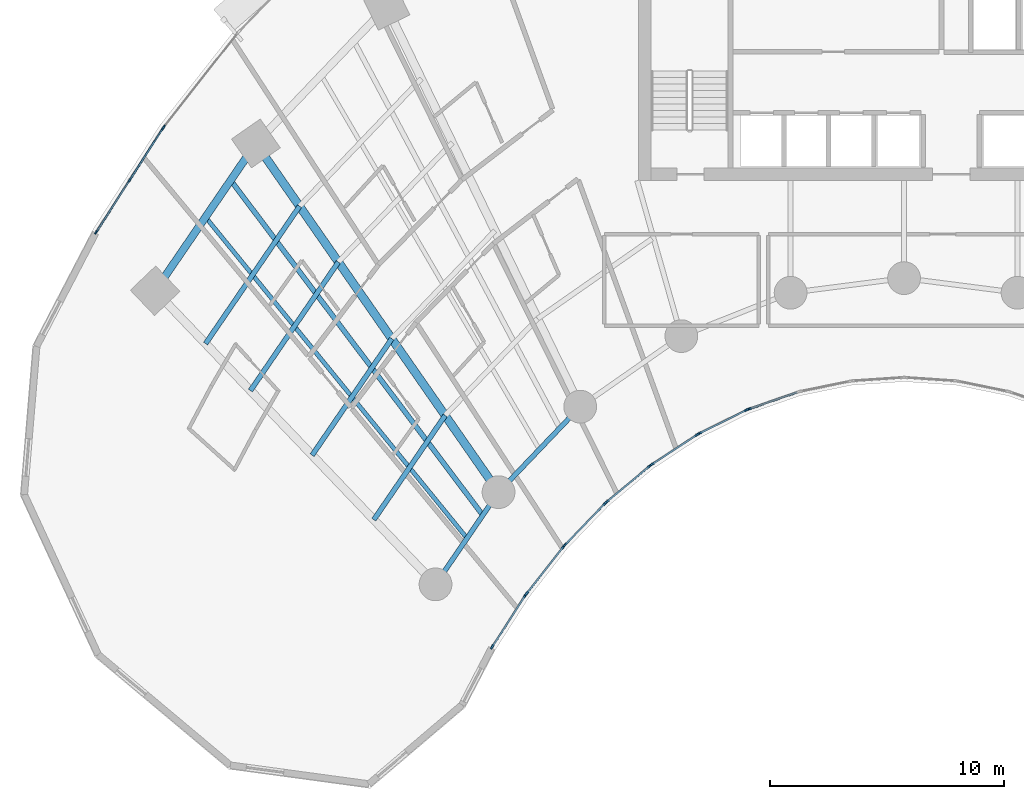
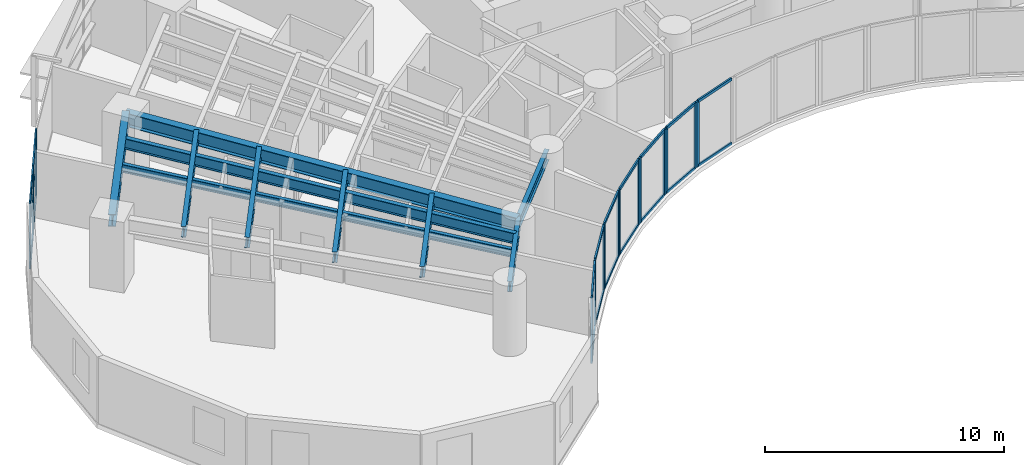
# One storey, part 2 of 18: 37 members, 10 beams, 9 elements without a shape of their own.
"""IFC4 building model written with IfcOpenShell, lengths in metres."""

import ifcopenshell
import ifcopenshell.guid

model = None  # the IFC model being written
_history = None  # IfcOwnerHistory: only IFC2X3 demands one
_inside = {}  # id of a spatial element -> (the spatial element, [elements in it])
_under = {}  # id of a project, library or spatial element -> (it, [spatial elements below it])
_declared = {}  # id of a project -> (the project, [libraries it declares])
_typed = {}  # id of a type object -> (the type object, [elements of that type])
_made_of = {}  # id of a material, layer set ... -> (it, [elements and type objects made of it])


def new_model(schema):
    """Start an empty IFC model of exactly this schema.

    Asked for "IFC4X3", IfcOpenShell would pick the latest addendum, in which some entities
    have other attributes; the version numbers below select the first issue.
    IFC2X3 requires an IfcOwnerHistory on every rooted entity: one is made here for all.
    """
    global model, _history
    if schema == "IFC4X3":
        model = ifcopenshell.file(schema_version=(4, 3, 0, 0))
    else:
        model = ifcopenshell.file(schema=schema)
    _inside.clear()
    _under.clear()
    _declared.clear()
    _typed.clear()
    _made_of.clear()
    _history = None
    if model.schema == "IFC2X3":
        org = make("IfcOrganization", Name="unknown")
        user = make(
            "IfcPersonAndOrganization",
            ThePerson=make("IfcPerson", FamilyName="unknown"),
            TheOrganization=org,
        )
        app = make(
            "IfcApplication",
            ApplicationDeveloper=org,
            Version="unknown",
            ApplicationFullName="unknown",
            ApplicationIdentifier="unknown",
        )
        _history = make(
            "IfcOwnerHistory",
            OwningUser=user,
            OwningApplication=app,
            ChangeAction="ADDED",
            CreationDate=0,
        )
    return model


def make(cls, **values):
    """One entity of the class cls with the attributes given. An attribute that is None is left unset."""
    return model.create_entity(
        cls, **{name: value for name, value in values.items() if value is not None}
    )


def rooted(cls, **values):
    """An entity with a GlobalId (a new one), such as an element, a storey or a relation."""
    return make(cls, GlobalId=ifcopenshell.guid.new(), OwnerHistory=_history, **values)


def si_unit(unit_type, name, prefix=None):
    """IfcSIUnit, for example si_unit("LENGTHUNIT", "METRE", prefix="MILLI")."""
    return make("IfcSIUnit", UnitType=unit_type, Prefix=prefix, Name=name)


def assignment(units):
    """IfcUnitAssignment: the units of a project."""
    return None if units is None else make("IfcUnitAssignment", Units=units)


def point(xyz):
    """IfcCartesianPoint."""
    return None if xyz is None else make("IfcCartesianPoint", Coordinates=xyz)


def direction(xyz):
    """IfcDirection."""
    return None if xyz is None else make("IfcDirection", DirectionRatios=xyz)


def frame(location, z_axis=None, x_axis=None):
    """IfcAxis2Placement3D, a coordinate frame: its origin and axes. An axis left out is left unset."""
    return make(
        "IfcAxis2Placement3D",
        Location=point(location),
        Axis=direction(z_axis),
        RefDirection=direction(x_axis),
    )


def frame_2d(location, x_axis=None):
    """IfcAxis2Placement2D, a coordinate frame in the plane: its origin and x axis."""
    return make(
        "IfcAxis2Placement2D", Location=point(location), RefDirection=direction(x_axis)
    )


def origin():
    """The frame at (0, 0, 0) with its axes left unset."""
    return frame((0.0, 0.0, 0.0))


def origin_2d():
    """The frame at (0, 0) in the plane with its x axis left unset."""
    return frame_2d((0.0, 0.0))


def place(relative_to, where):
    """IfcLocalPlacement: puts the frame where relative to a parent placement (None: the world)."""
    return make(
        "IfcLocalPlacement", PlacementRelTo=relative_to, RelativePlacement=where
    )


def context(
    kind, dimensions, precision=None, world=None, true_north=None, identifier=None
):
    """IfcGeometricRepresentationContext, for example the 3D "Model" context."""
    return make(
        "IfcGeometricRepresentationContext",
        ContextIdentifier=identifier,
        ContextType=kind,
        CoordinateSpaceDimension=dimensions,
        Precision=precision,
        WorldCoordinateSystem=world,
        TrueNorth=true_north,
    )


def subcontext(parent, identifier, kind, view, scale=None):
    """IfcGeometricRepresentationSubContext, for example "Body" below "Model"."""
    return make(
        "IfcGeometricRepresentationSubContext",
        ContextIdentifier=identifier,
        ContextType=kind,
        ParentContext=parent,
        TargetScale=scale,
        TargetView=view,
    )


def project(units=None, contexts=None):
    """IfcProject with its units and contexts."""
    return rooted(
        "IfcProject",
        Name="project",
        RepresentationContexts=contexts,
        UnitsInContext=assignment(units),
    )


def spatial(cls, under=None, at=None, **own):
    """A site, building, storey or space (cls), placed at a placement, below another one or the project."""
    s = rooted(cls, ObjectPlacement=at, **own)
    if under is not None:
        _under.setdefault(under.id(), (under, []))[1].append(s)
    return s


def profile(cls, at=None, kind="AREA", **sizes):
    """A parametric profile (cls). Its sizes go by their IFC names, for example OverallWidth=200.0."""
    return make(cls, ProfileType=kind, Position=at, **sizes)


def rectangle(**sizes):
    """IfcRectangleProfileDef."""
    return profile("IfcRectangleProfileDef", **sizes)


def i_section(**sizes):
    """IfcIShapeProfileDef."""
    return profile("IfcIShapeProfileDef", **sizes)


def extrude(swept, where, along, depth):
    """IfcExtrudedAreaSolid: the profile swept, set in the frame where, extruded along a direction by depth."""
    return make(
        "IfcExtrudedAreaSolid",
        SweptArea=swept,
        Position=where,
        ExtrudedDirection=direction(along),
        Depth=depth,
    )


def shape(context_of_items, identifier, shape_type, items):
    """IfcShapeRepresentation: the items that make up one representation, for example the "Body"."""
    return make(
        "IfcShapeRepresentation",
        ContextOfItems=context_of_items,
        RepresentationIdentifier=identifier,
        RepresentationType=shape_type,
        Items=items,
    )


def source(mapping_origin, context_of_items, identifier, shape_type, items):
    """IfcRepresentationMap: a shape defined once, which mapped items show again and again."""
    return make(
        "IfcRepresentationMap",
        MappingOrigin=mapping_origin,
        MappedRepresentation=shape(context_of_items, identifier, shape_type, items),
    )


def transform(
    local_origin,
    x_axis=None,
    y_axis=None,
    z_axis=None,
    scale=None,
    scale2=None,
    scale3=None,
    uniform=True,
):
    """IfcCartesianTransformationOperator3D, or its non-uniform kind. x_axis, y_axis, z_axis: its Axis1, 2, 3."""
    if uniform:
        return make(
            "IfcCartesianTransformationOperator3D",
            Axis1=direction(x_axis),
            Axis2=direction(y_axis),
            LocalOrigin=point(local_origin),
            Scale=scale,
            Axis3=direction(z_axis),
        )
    return make(
        "IfcCartesianTransformationOperator3DnonUniform",
        Axis1=direction(x_axis),
        Axis2=direction(y_axis),
        LocalOrigin=point(local_origin),
        Scale=scale,
        Axis3=direction(z_axis),
        Scale2=scale2,
        Scale3=scale3,
    )


def mapped(mapping_source, mapping_target):
    """IfcMappedItem: shows the shape of a source again, moved by a transform."""
    return make(
        "IfcMappedItem", MappingSource=mapping_source, MappingTarget=mapping_target
    )


def material(Name=None, Category=None):
    """IfcMaterial."""
    return make("IfcMaterial", Name=Name, Category=Category)


def layer(
    of_material, thickness, ventilated=None, Name=None, Category=None, Priority=None
):
    """IfcMaterialLayer: one layer of a wall or slab, of a material (None: an air gap)."""
    return make(
        "IfcMaterialLayer",
        Material=of_material,
        LayerThickness=thickness,
        IsVentilated=ventilated,
        Name=Name,
        Category=Category,
        Priority=Priority,
    )


def layer_set(layers, Name=None):
    """IfcMaterialLayerSet."""
    return make("IfcMaterialLayerSet", MaterialLayers=layers, LayerSetName=Name)


def material_profile(
    of_material, cross_section, Name=None, Category=None, Priority=None
):
    """IfcMaterialProfile: a cross section and its material."""
    return make(
        "IfcMaterialProfile",
        Name=Name,
        Material=of_material,
        Profile=cross_section,
        Priority=Priority,
        Category=Category,
    )


def profile_set(profiles, Name=None, composite=None):
    """IfcMaterialProfileSet."""
    return make(
        "IfcMaterialProfileSet",
        Name=Name,
        MaterialProfiles=profiles,
        CompositeProfile=composite,
    )


def made_of(thing, what):
    """Note that an element or type object is made of a material, layer set ...; save() writes the relation."""
    if what is not None:
        _made_of.setdefault(what.id(), (what, []))[1].append(thing)
    return thing


def type_object(cls, material=None, **own):
    """A type object (cls), such as IfcWallType, which elements share."""
    return made_of(rooted(cls, **own), material)


def type_shapes(of_type, sources):
    """Give a type object the sources (RepresentationMaps) that its elements show as mapped items."""
    of_type.RepresentationMaps = sources


def element(
    cls,
    number,
    at=None,
    inside=None,
    cuts=None,
    type_object=None,
    material=None,
    context=None,
    identifier="Body",
    shape_type=None,
    held_by="IfcProductDefinitionShape",
    body=None,
    shapes=None,
    **own,
):
    """One element of the class cls, such as IfcWall. Its Tag is "e" and its number.

    at: its placement. inside: the storey or other place that contains it. cuts: it is an
    opening in that element (IfcRelVoidsElement). A single representation is given by context,
    identifier, shape_type and body (its items); several are given by shapes. held_by: the class
    of the entity that holds the representations. save() writes the other relations.
    """
    e = rooted(cls, Tag="e%d" % number, ObjectPlacement=at, **own)
    if body is not None:
        shapes = [shape(context, identifier, shape_type, body)]
    if shapes is not None:
        e.Representation = make(held_by, Representations=shapes)
    if inside is not None:
        _inside.setdefault(inside.id(), (inside, []))[1].append(e)
    if cuts is not None:
        rooted(
            "IfcRelVoidsElement", RelatingBuildingElement=cuts, RelatedOpeningElement=e
        )
    if type_object is not None:
        _typed.setdefault(type_object.id(), (type_object, []))[1].append(e)
    return made_of(e, material)


def aggregate(whole, parts):
    """IfcRelAggregates: a whole, such as a stair, and the parts it consists of."""
    return rooted("IfcRelAggregates", RelatingObject=whole, RelatedObjects=parts)


def save(model, path):
    """Write the relations noted so far, then the file.

    IfcRelAggregates (storeys below a building ...), IfcRelContainedInSpatialStructure (elements
    in a storey), IfcRelDefinesByType, IfcRelAssociatesMaterial and IfcRelDeclares: one each for
    every whole, place, type object, material and project.
    """
    for whole, parts in _under.values():
        aggregate(whole, parts)
    for where, things in _inside.values():
        rooted(
            "IfcRelContainedInSpatialStructure",
            RelatedElements=things,
            RelatingStructure=where,
        )
    for kind, things in _typed.values():
        rooted("IfcRelDefinesByType", RelatedObjects=things, RelatingType=kind)
    for what, things in _made_of.values():
        rooted("IfcRelAssociatesMaterial", RelatedObjects=things, RelatingMaterial=what)
    for by, libraries in _declared.values():
        rooted("IfcRelDeclares", RelatingContext=by, RelatedDefinitions=libraries)
    model.write(path)


model = new_model("IFC4")

# Units and contexts
model_context = context("Model", 3, precision=1e-05, world=origin(), true_north=direction((0.0, 1.0)))
body_context = subcontext(model_context, "Body", "Model", "MODEL_VIEW")
ifc_project = project(units=[si_unit("LENGTHUNIT", "METRE"), si_unit("AREAUNIT", "SQUARE_METRE"), si_unit("VOLUMEUNIT", "CUBIC_METRE"), si_unit("PLANEANGLEUNIT", "RADIAN"), si_unit("MASSUNIT", "GRAM", prefix="KILO")], contexts=[model_context])

# Site, building, storey
site_placement = place(None, origin())
site = spatial("IfcSite", under=ifc_project, at=site_placement, CompositionType="ELEMENT")
building_placement = place(site_placement, origin())
building = spatial("IfcBuilding", under=site, at=building_placement, Name="Breltana Convention Tower", CompositionType="ELEMENT")
storey_placement = place(building_placement, frame((0.0, 0.0, 35.39990234375)))
storey = spatial("IfcBuildingStorey", under=building, at=storey_placement, Name="L06", CompositionType="ELEMENT", Elevation=35.39990234375)

# Beams
ifc_material_1 = material(Name="Steel ASTM A992 Grade 50", Category="steel")
ifc_material_profile_1 = material_profile(ifc_material_1, i_section(OverallWidth=0.323974609375, OverallDepth=0.611083984375, WebThickness=0.0126953125, FlangeThickness=0.01904296875, at=origin_2d()), Name="W24X104")
ifc_profile_set_1 = profile_set([ifc_material_profile_1], Name="Steel ASTM A992 Grade 50")
beam_type_1 = type_object("IfcBeamType", Name="BM-SP-W24X104", PredefinedType="SPANDREL", material=ifc_profile_set_1)
shared_shape_1 = source(origin(), body_context, "Body", "SweptSolid", [
    extrude(i_section(OverallWidth=0.323974609375, OverallDepth=0.611083984375, WebThickness=0.0126953125, FlangeThickness=0.01904296875, at=origin_2d()), origin(), (0.0, 0.0, 1.0), 7.625),
])
type_shapes(beam_type_1, [shared_shape_1])
beam_1_placement = place(storey_placement, frame((16.0068359375, 55.494384765625, 3.0546875), z_axis=(0.564452031902, 0.825465870694, 0.0), x_axis=(-0.825465870694, 0.564452031902, 0.0)))
element("IfcBeam", 1, at=beam_1_placement, inside=storey, type_object=beam_type_1, Name="L06 Outer Spandrel Beam 01", PredefinedType="SPANDREL", context=body_context, shape_type="MappedRepresentation", body=[
    mapped(shared_shape_1, transform((0.0, 0.0, 0.0), scale=1.0)),
])
ifc_material_profile_2 = material_profile(ifc_material_1, i_section(OverallWidth=0.35498046875, OverallDepth=0.696044921875, WebThickness=0.015380859375, FlangeThickness=0.02490234375, at=origin_2d()), Name="W27X146")
ifc_profile_set_2 = profile_set([ifc_material_profile_2], Name="Steel ASTM A992 Grade 50")
beam_type_2 = type_object("IfcBeamType", Name="BM-RG-W27X146", PredefinedType="USERDEFINED", material=ifc_profile_set_2)
shared_shape_2 = source(origin(), body_context, "Body", "SweptSolid", [
    extrude(i_section(OverallWidth=0.35498046875, OverallDepth=0.696044921875, WebThickness=0.015380859375, FlangeThickness=0.02490234375, at=origin_2d()), origin(), (0.0, 0.0, 1.0), 18.1484375),
])
beam_2_placement = place(storey_placement, frame((30.67724609375, 46.892333984375, 3.01220703125), z_axis=(-0.571207556098, 0.820805657788, 0.0), x_axis=(-0.820805657788, -0.571207556098, 0.0)))
element("IfcBeam", 2, at=beam_2_placement, inside=storey, type_object=beam_type_2, Name="L06 Radial Floor Girder R02", ObjectType="GIRDER", PredefinedType="USERDEFINED", context=body_context, shape_type="MappedRepresentation", body=[
    mapped(shared_shape_2, transform((0.0, 0.0, 0.0), scale=1.0)),
])
ifc_material_profile_3 = material_profile(ifc_material_1, i_section(OverallWidth=0.2099609375, OverallDepth=0.537109375, WebThickness=0.010986328125, FlangeThickness=0.017333984375, at=origin_2d()), Name="W21X68")
ifc_profile_set_3 = profile_set([ifc_material_profile_3], Name="Steel ASTM A992 Grade 50")
beam_type_3 = type_object("IfcBeamType", Name="BM-BM-W21X68", PredefinedType="BEAM", material=ifc_profile_set_3)
shared_shape_3 = source(origin(), body_context, "Body", "SweptSolid", [
    extrude(i_section(OverallWidth=0.2099609375, OverallDepth=0.537109375, WebThickness=0.010986328125, FlangeThickness=0.017333984375, at=origin_2d()), origin(), (0.0, 0.0, 1.0), 4.770263671875),
])
beam_3_placement = place(storey_placement, frame((27.984619140625, 42.95458984375, 3.091552734375), z_axis=(0.564452719055, 0.82546540082, 0.0), x_axis=(-0.82546540082, 0.564452719055, 0.0)))
element("IfcBeam", 3, at=beam_3_placement, inside=storey, type_object=beam_type_3, Name="L06 Inner Ring Beam 01", PredefinedType="BEAM", context=body_context, shape_type="MappedRepresentation", body=[
    mapped(shared_shape_3, transform((0.0, 0.0, 0.0), scale=1.0)),
])
ifc_material_profile_4 = material_profile(ifc_material_1, i_section(OverallWidth=0.179931640625, OverallDepth=0.4130859375, WebThickness=0.009765625, FlangeThickness=0.01611328125, at=origin_2d()), Name="W16X50")
ifc_profile_set_4 = profile_set([ifc_material_profile_4], Name="Steel ASTM A992 Grade 50")
beam_type_4 = type_object("IfcBeamType", Name="BM-JSG-08", PredefinedType="JOIST", material=ifc_profile_set_4)
shared_shape_4 = source(origin(), body_context, "Body", "SweptSolid", [
    extrude(i_section(OverallWidth=0.179931640625, OverallDepth=0.4130859375, WebThickness=0.009765625, FlangeThickness=0.01611328125, at=origin_2d()), origin(), (0.0, 0.0, 1.0), 17.691650390625),
])
type_shapes(beam_type_4, [shared_shape_4])
beam_4_placement = place(storey_placement, frame((29.330810546875, 44.923583984375, 3.153564453125), z_axis=(-0.631476958478, 0.775394642044, 0.0), x_axis=(-0.775394642044, -0.631476958478, 0.0)))
element("IfcBeam", 4, at=beam_4_placement, inside=storey, type_object=beam_type_4, Name="L06 Mid-Bay Radial Trimmer 01", PredefinedType="JOIST", context=body_context, shape_type="MappedRepresentation", body=[
    mapped(shared_shape_4, transform((0.0, 0.0, 0.0), scale=1.0)),
])
ifc_material_profile_5 = material_profile(ifc_material_1, i_section(OverallWidth=0.214111328125, OverallDepth=0.549072265625, WebThickness=0.0146484375, FlangeThickness=0.023681640625, at=origin_2d()), Name="W21X93")
ifc_profile_set_5 = profile_set([ifc_material_profile_5], Name="Steel ASTM A992 Grade 50")
beam_type_5 = type_object("IfcBeamType", Name="BM-JSG-03", PredefinedType="JOIST", material=ifc_profile_set_5)
shared_shape_5 = source(origin(), body_context, "Body", "SweptSolid", [
    extrude(i_section(OverallWidth=0.214111328125, OverallDepth=0.549072265625, WebThickness=0.0146484375, FlangeThickness=0.023681640625, at=origin_2d()), origin(), (0.0, 0.0, 1.0), 17.9072265625),
])
beam_5_placement = place(storey_placement, frame((30.00390625, 45.907958984375, 3.085693359375), z_axis=(-0.601382105028, 0.798961553363, 0.0), x_axis=(-0.798961553363, -0.601382105028, 0.0)))
element("IfcBeam", 5, at=beam_5_placement, inside=storey, type_object=beam_type_5, Name="L06 Quarter-Bay Radial Trimmer 01", PredefinedType="JOIST", context=body_context, shape_type="MappedRepresentation", body=[
    mapped(shared_shape_5, transform((0.0, 0.0, 0.0), scale=1.0)),
])
shared_shape_6 = source(origin(), body_context, "Body", "SweptSolid", [
    extrude(i_section(OverallWidth=0.2099609375, OverallDepth=0.537109375, WebThickness=0.010986328125, FlangeThickness=0.017333984375, at=origin_2d()), origin(), (0.0, 0.0, 1.0), 5.05126953125),
])
beam_6_placement = place(storey_placement, frame((30.67724609375, 46.892333984375, 3.091552734375), z_axis=(0.690729753845, 0.7231129975, 0.0), x_axis=(-0.7231129975, 0.690729753845, 0.0)))
element("IfcBeam", 6, at=beam_6_placement, inside=storey, type_object=beam_type_3, Name="L06 Inner Ring Beam 02", PredefinedType="BEAM", context=body_context, shape_type="MappedRepresentation", body=[
    mapped(shared_shape_6, transform((0.0, 0.0, 0.0), scale=1.0)),
])
shared_shape_7 = source(origin(), body_context, "Body", "SweptSolid", [
    extrude(i_section(OverallWidth=0.214111328125, OverallDepth=0.549072265625, WebThickness=0.0146484375, FlangeThickness=0.023681640625, at=origin_2d()), origin(), (0.0, 0.0, 1.0), 5.3984375),
])
beam_7_placement = place(storey_placement, frame((25.349365234375, 45.71337890625, 3.085693359375), z_axis=(0.564440705434, 0.825473615599, 0.0), x_axis=(-0.825473615599, 0.564440705434, 0.0)))
element("IfcBeam", 7, at=beam_7_placement, inside=storey, type_object=beam_type_5, Name="L06 Composite Floor Joist 01.1", PredefinedType="JOIST", context=body_context, shape_type="MappedRepresentation", body=[
    mapped(shared_shape_7, transform((0.0, 0.0, 0.0), scale=1.0)),
])
shared_shape_8 = source(origin(), body_context, "Body", "SweptSolid", [
    extrude(i_section(OverallWidth=0.214111328125, OverallDepth=0.549072265625, WebThickness=0.0146484375, FlangeThickness=0.023681640625, at=origin_2d()), origin(), (0.0, 0.0, 1.0), 6.0263671875),
])
beam_8_placement = place(storey_placement, frame((22.71435546875, 48.47216796875, 3.085693359375), z_axis=(0.564450071397, 0.825467211281, 0.0), x_axis=(-0.825467211281, 0.564450071397, 0.0)))
element("IfcBeam", 8, at=beam_8_placement, inside=storey, type_object=beam_type_5, Name="L06 Composite Floor Joist 01.2", PredefinedType="JOIST", context=body_context, shape_type="MappedRepresentation", body=[
    mapped(shared_shape_8, transform((0.0, 0.0, 0.0), scale=1.0)),
])
shared_shape_9 = source(origin(), body_context, "Body", "SweptSolid", [
    extrude(i_section(OverallWidth=0.214111328125, OverallDepth=0.549072265625, WebThickness=0.0146484375, FlangeThickness=0.023681640625, at=origin_2d()), origin(), (0.0, 0.0, 1.0), 6.654541015625),
])
beam_9_placement = place(storey_placement, frame((20.0791015625, 51.23095703125, 3.085693359375), z_axis=(0.564482668195, 0.82544492082, 0.0), x_axis=(-0.82544492082, 0.564482668195, 0.0)))
element("IfcBeam", 9, at=beam_9_placement, inside=storey, type_object=beam_type_5, Name="L06 Composite Floor Joist 01.3", PredefinedType="JOIST", context=body_context, shape_type="MappedRepresentation", body=[
    mapped(shared_shape_9, transform((0.0, 0.0, 0.0), scale=1.0)),
])
shared_shape_10 = source(origin(), body_context, "Body", "SweptSolid", [
    extrude(i_section(OverallWidth=0.214111328125, OverallDepth=0.549072265625, WebThickness=0.0146484375, FlangeThickness=0.023681640625, at=origin_2d()), origin(), (0.0, 0.0, 1.0), 7.111328125),
])
beam_10_placement = place(storey_placement, frame((18.162841796875, 53.2373046875, 3.085693359375), z_axis=(0.564446356178, 0.825469751715, 0.0), x_axis=(-0.825469751715, 0.564446356178, 0.0)))
element("IfcBeam", 10, at=beam_10_placement, inside=storey, type_object=beam_type_5, Name="L06 Composite Floor Joist 01.4", PredefinedType="JOIST", context=body_context, shape_type="MappedRepresentation", body=[
    mapped(shared_shape_10, transform((0.0, 0.0, 0.0), scale=1.0)),
])

# Curtain wall, members
ifc_material_2 = material(Name="Aluminium Anodised Bronze Frame", Category="aluminium")
ifc_layer_1 = layer(ifc_material_2, 0.18994140625, Name="Aluminium Anodised Bronze Frame")
ifc_layer_set_1 = layer_set([ifc_layer_1], Name="Aluminium Anodised Bronze Frame")
curtain_wall_type_1 = type_object("IfcCurtainWallType", Name="CW-SYS-1", PredefinedType="NOTDEFINED", material=ifc_layer_set_1)
curtain_wall_1_placement = place(storey_placement, origin())
curtain_wall_1 = element("IfcCurtainWall", 11, at=curtain_wall_1_placement, inside=storey, type_object=curtain_wall_type_1, Name="L06 inner south-court glazing 16", PredefinedType="NOTDEFINED")
ifc_material_3 = material(Name="Aluminium Anodised Bronze", Category="aluminium")
ifc_material_profile_6 = material_profile(ifc_material_3, rectangle(XDim=0.080078125, YDim=0.139892578125, at=origin_2d()), Name="CWT-80X140")
ifc_profile_set_6 = profile_set([ifc_material_profile_6], Name="Aluminium Anodised Bronze")
member_type_1 = type_object("IfcMemberType", Name="CWT-140", PredefinedType="USERDEFINED", material=ifc_profile_set_6)
shared_shape_11 = source(origin(), body_context, "Body", "SweptSolid", [
    extrude(rectangle(XDim=0.080078125, YDim=0.139892578125, at=origin_2d()), origin(), (0.0, 0.0, 1.0), 2.38720703125),
])
type_shapes(member_type_1, [shared_shape_11])
member_1_placement = place(storey_placement, frame((35.2021484375, 46.385009765625, 0.0400390625), z_axis=(-0.694623715393, -0.719373264734, 0.0), x_axis=(0.719373264734, -0.694623715393, 0.0)))
member_1 = element("IfcMember", 12, at=member_1_placement, type_object=member_type_1, Name="CW-01 transom 1.1", ObjectType="TRANSOM", PredefinedType="USERDEFINED", context=body_context, shape_type="MappedRepresentation", body=[
    mapped(shared_shape_11, transform((0.0, 0.0, 0.0), scale=1.0)),
])
member_2_placement = place(storey_placement, frame((35.2021484375, 46.385009765625, 3.320068359375), z_axis=(-0.694623715393, -0.719373264734, 0.0), x_axis=(0.719373264734, -0.694623715393, 0.0)))
member_2 = element("IfcMember", 13, at=member_2_placement, type_object=member_type_1, Name="CW-01 transom 1.2", ObjectType="TRANSOM", PredefinedType="USERDEFINED", context=body_context, shape_type="MappedRepresentation", body=[
    mapped(shared_shape_11, transform((0.0, 0.0, 0.0), scale=1.0)),
])

curtain_wall_2_placement = place(storey_placement, origin())
curtain_wall_2 = element("IfcCurtainWall", 14, at=curtain_wall_2_placement, inside=storey, type_object=curtain_wall_type_1, Name="L06 inner south-court glazing 15", PredefinedType="NOTDEFINED")
shared_shape_12 = source(origin(), body_context, "Body", "SweptSolid", [
    extrude(rectangle(XDim=0.080078125, YDim=0.139892578125, at=origin_2d()), origin(), (0.0, 0.0, 1.0), 2.312255859375),
])
member_3_placement = place(storey_placement, frame((37.10888671875, 47.988037109375, 0.0400390625), z_axis=(-0.767900974507, -0.640568570374, 0.0), x_axis=(0.640568570374, -0.767900974507, 0.0)))
member_3 = element("IfcMember", 15, at=member_3_placement, type_object=member_type_1, Name="CW-01 transom 1.1", ObjectType="TRANSOM", PredefinedType="USERDEFINED", context=body_context, shape_type="MappedRepresentation", body=[
    mapped(shared_shape_12, transform((0.0, 0.0, 0.0), scale=1.0)),
])
member_4_placement = place(storey_placement, frame((37.10888671875, 47.988037109375, 3.320068359375), z_axis=(-0.767900974507, -0.640568570374, 0.0), x_axis=(0.640568570374, -0.767900974507, 0.0)))
member_4 = element("IfcMember", 16, at=member_4_placement, type_object=member_type_1, Name="CW-01 transom 1.2", ObjectType="TRANSOM", PredefinedType="USERDEFINED", context=body_context, shape_type="MappedRepresentation", body=[
    mapped(shared_shape_12, transform((0.0, 0.0, 0.0), scale=1.0)),
])

curtain_wall_3_placement = place(storey_placement, origin())
curtain_wall_3 = element("IfcCurtainWall", 17, at=curtain_wall_3_placement, inside=storey, type_object=curtain_wall_type_1, Name="L06 inner south-court glazing 14", PredefinedType="NOTDEFINED")
shared_shape_13 = source(origin(), body_context, "Body", "SweptSolid", [
    extrude(rectangle(XDim=0.080078125, YDim=0.139892578125, at=origin_2d()), origin(), (0.0, 0.0, 1.0), 2.2421875),
])
member_5_placement = place(storey_placement, frame((39.128173828125, 49.325927734375, 0.0400390625), z_axis=(-0.835982353773, -0.548756324957, 0.0), x_axis=(0.548756324957, -0.835982353773, 0.0)))
member_5 = element("IfcMember", 18, at=member_5_placement, type_object=member_type_1, Name="CW-01 transom 1.1", ObjectType="TRANSOM", PredefinedType="USERDEFINED", context=body_context, shape_type="MappedRepresentation", body=[
    mapped(shared_shape_13, transform((0.0, 0.0, 0.0), scale=1.0)),
])
member_6_placement = place(storey_placement, frame((39.128173828125, 49.325927734375, 3.320068359375), z_axis=(-0.835982353773, -0.548756324957, 0.0), x_axis=(0.548756324957, -0.835982353773, 0.0)))
member_6 = element("IfcMember", 19, at=member_6_placement, type_object=member_type_1, Name="CW-01 transom 1.2", ObjectType="TRANSOM", PredefinedType="USERDEFINED", context=body_context, shape_type="MappedRepresentation", body=[
    mapped(shared_shape_13, transform((0.0, 0.0, 0.0), scale=1.0)),
])

curtain_wall_4_placement = place(storey_placement, origin())
curtain_wall_4 = element("IfcCurtainWall", 20, at=curtain_wall_4_placement, inside=storey, type_object=curtain_wall_type_1, Name="L06 inner south-court glazing 13", PredefinedType="NOTDEFINED")
shared_shape_14 = source(origin(), body_context, "Body", "SweptSolid", [
    extrude(rectangle(XDim=0.080078125, YDim=0.139892578125, at=origin_2d()), origin(), (0.0, 0.0, 1.0), 2.180908203125),
])
member_7_placement = place(storey_placement, frame((41.239501953125, 50.384765625, 0.0400390625), z_axis=(-0.895922266369, -0.444210865045, 0.0), x_axis=(0.444210865045, -0.895922266369, 0.0)))
member_7 = element("IfcMember", 21, at=member_7_placement, type_object=member_type_1, Name="CW-01 transom 1.1", ObjectType="TRANSOM", PredefinedType="USERDEFINED", context=body_context, shape_type="MappedRepresentation", body=[
    mapped(shared_shape_14, transform((0.0, 0.0, 0.0), scale=1.0)),
])
member_8_placement = place(storey_placement, frame((41.239501953125, 50.384765625, 3.320068359375), z_axis=(-0.895922266369, -0.444210865045, 0.0), x_axis=(0.444210865045, -0.895922266369, 0.0)))
member_8 = element("IfcMember", 22, at=member_8_placement, type_object=member_type_1, Name="CW-01 transom 1.2", ObjectType="TRANSOM", PredefinedType="USERDEFINED", context=body_context, shape_type="MappedRepresentation", body=[
    mapped(shared_shape_14, transform((0.0, 0.0, 0.0), scale=1.0)),
])

curtain_wall_5_placement = place(storey_placement, origin())
curtain_wall_5 = element("IfcCurtainWall", 23, at=curtain_wall_5_placement, inside=storey, type_object=curtain_wall_type_1, Name="L06 inner south-court glazing 17", PredefinedType="NOTDEFINED")
shared_shape_15 = source(origin(), body_context, "Body", "SweptSolid", [
    extrude(rectangle(XDim=0.080078125, YDim=0.139892578125, at=origin_2d()), origin(), (0.0, 0.0, 1.0), 2.4638671875),
])
member_9_placement = place(storey_placement, frame((33.427001953125, 44.533447265625, 0.0400390625), z_axis=(-0.618184689608, -0.786032880695, 0.0), x_axis=(0.786032880695, -0.618184689608, 0.0)))
member_9 = element("IfcMember", 24, at=member_9_placement, type_object=member_type_1, Name="CW-01 transom 1.1", ObjectType="TRANSOM", PredefinedType="USERDEFINED", context=body_context, shape_type="MappedRepresentation", body=[
    mapped(shared_shape_15, transform((0.0, 0.0, 0.0), scale=1.0)),
])
member_10_placement = place(storey_placement, frame((33.427001953125, 44.533447265625, 3.320068359375), z_axis=(-0.618184689608, -0.786032880695, 0.0), x_axis=(0.786032880695, -0.618184689608, 0.0)))
member_10 = element("IfcMember", 25, at=member_10_placement, type_object=member_type_1, Name="CW-01 transom 1.2", ObjectType="TRANSOM", PredefinedType="USERDEFINED", context=body_context, shape_type="MappedRepresentation", body=[
    mapped(shared_shape_15, transform((0.0, 0.0, 0.0), scale=1.0)),
])

curtain_wall_6_placement = place(storey_placement, origin())
curtain_wall_6 = element("IfcCurtainWall", 26, at=curtain_wall_6_placement, inside=storey, type_object=curtain_wall_type_1, Name="L06 inner south-court glazing 18", PredefinedType="NOTDEFINED")
shared_shape_16 = source(origin(), body_context, "Body", "SweptSolid", [
    extrude(rectangle(XDim=0.080078125, YDim=0.139892578125, at=origin_2d()), origin(), (0.0, 0.0, 1.0), 2.53955078125),
])
member_11_placement = place(storey_placement, frame((31.801025390625, 42.452392578125, 0.0400390625), z_axis=(-0.540174413174, -0.841553090038, 0.0), x_axis=(0.841553090038, -0.540174413174, 0.0)))
member_11 = element("IfcMember", 27, at=member_11_placement, type_object=member_type_1, Name="CW-01 transom 1.1", ObjectType="TRANSOM", PredefinedType="USERDEFINED", context=body_context, shape_type="MappedRepresentation", body=[
    mapped(shared_shape_16, transform((0.0, 0.0, 0.0), scale=1.0)),
])
member_12_placement = place(storey_placement, frame((31.801025390625, 42.452392578125, 3.320068359375), z_axis=(-0.540174413174, -0.841553090038, 0.0), x_axis=(0.841553090038, -0.540174413174, 0.0)))
member_12 = element("IfcMember", 28, at=member_12_placement, type_object=member_type_1, Name="CW-01 transom 1.2", ObjectType="TRANSOM", PredefinedType="USERDEFINED", context=body_context, shape_type="MappedRepresentation", body=[
    mapped(shared_shape_16, transform((0.0, 0.0, 0.0), scale=1.0)),
])

# Curtain wall, member
curtain_wall_7_placement = place(storey_placement, origin())
curtain_wall_7 = element("IfcCurtainWall", 29, at=curtain_wall_7_placement, inside=storey, type_object=curtain_wall_type_1, Name="L06 inner south-court glazing 12", PredefinedType="NOTDEFINED")
ifc_material_profile_7 = material_profile(ifc_material_3, rectangle(XDim=0.080078125, YDim=0.199951171875, at=origin_2d()), Name="CWM-80X200")
ifc_profile_set_7 = profile_set([ifc_material_profile_7], Name="Aluminium Anodised Bronze")
member_type_2 = type_object("IfcMemberType", Name="CWM-200", PredefinedType="MULLION", material=ifc_profile_set_7)
shared_shape_17 = source(origin(), body_context, "Body", "SweptSolid", [
    extrude(rectangle(XDim=0.080078125, YDim=0.199951171875, at=origin_2d()), origin(), (0.0, 0.0, 1.0), 3.360107421875),
])
member_13_placement = place(storey_placement, frame((41.3701171875, 50.442138671875, 0.0), z_axis=(0.0, 0.0, 1.0), x_axis=(0.327413341714, -0.944881211406, 0.0)))
member_13 = element("IfcMember", 30, at=member_13_placement, type_object=member_type_2, Name="CW-01 mullion 2", PredefinedType="MULLION", context=body_context, shape_type="MappedRepresentation", body=[
    mapped(shared_shape_17, transform((0.0, 0.0, 0.0), scale=1.0)),
])

# Member
member_14_placement = place(storey_placement, frame((41.275390625, 50.40234375, 0.0), z_axis=(0.0, 0.0, 1.0), x_axis=(0.444117987602, -0.895968310315, 0.0)))
member_14 = element("IfcMember", 31, at=member_14_placement, type_object=member_type_2, Name="CW-01 mullion 1", PredefinedType="MULLION", context=body_context, shape_type="MappedRepresentation", body=[
    mapped(shared_shape_17, transform((0.0, 0.0, 0.0), scale=1.0)),
])

member_15_placement = place(storey_placement, frame((39.249755859375, 49.3984375, 0.0), z_axis=(0.0, 0.0, 1.0), x_axis=(0.444117987602, -0.895968310315, 0.0)))
member_15 = element("IfcMember", 32, at=member_15_placement, type_object=member_type_2, Name="CW-01 mullion 2", PredefinedType="MULLION", context=body_context, shape_type="MappedRepresentation", body=[
    mapped(shared_shape_17, transform((0.0, 0.0, 0.0), scale=1.0)),
])

aggregate(curtain_wall_4, [member_14, member_15, member_7, member_8])

member_16_placement = place(storey_placement, frame((39.16162109375, 49.347900390625, 0.0), z_axis=(0.0, 0.0, 1.0), x_axis=(0.548778278441, -0.835967942634, 0.0)))
member_16 = element("IfcMember", 33, at=member_16_placement, type_object=member_type_2, Name="CW-01 mullion 1", PredefinedType="MULLION", context=body_context, shape_type="MappedRepresentation", body=[
    mapped(shared_shape_17, transform((0.0, 0.0, 0.0), scale=1.0)),
])

member_17_placement = place(storey_placement, frame((37.220458984375, 48.073486328125, 0.0), z_axis=(0.0, 0.0, 1.0), x_axis=(0.548778278441, -0.835967942634, 0.0)))
member_17 = element("IfcMember", 34, at=member_17_placement, type_object=member_type_2, Name="CW-01 mullion 2", PredefinedType="MULLION", context=body_context, shape_type="MappedRepresentation", body=[
    mapped(shared_shape_17, transform((0.0, 0.0, 0.0), scale=1.0)),
])

aggregate(curtain_wall_3, [member_16, member_17, member_5, member_6])

member_18_placement = place(storey_placement, frame((37.1396484375, 48.013671875, 0.0), z_axis=(0.0, 0.0, 1.0), x_axis=(0.640522524458, -0.767939382804, 0.0)))
member_18 = element("IfcMember", 35, at=member_18_placement, type_object=member_type_2, Name="CW-01 mullion 1", PredefinedType="MULLION", context=body_context, shape_type="MappedRepresentation", body=[
    mapped(shared_shape_17, transform((0.0, 0.0, 0.0), scale=1.0)),
])

member_19_placement = place(storey_placement, frame((35.302734375, 46.481201171875, 0.0), z_axis=(0.0, 0.0, 1.0), x_axis=(0.640522524458, -0.767939382804, 0.0)))
member_19 = element("IfcMember", 36, at=member_19_placement, type_object=member_type_2, Name="CW-01 mullion 2", PredefinedType="MULLION", context=body_context, shape_type="MappedRepresentation", body=[
    mapped(shared_shape_17, transform((0.0, 0.0, 0.0), scale=1.0)),
])

aggregate(curtain_wall_2, [member_18, member_19, member_3, member_4])

member_20_placement = place(storey_placement, frame((35.22998046875, 46.413818359375, 0.0), z_axis=(0.0, 0.0, 1.0), x_axis=(0.719384548773, -0.694612029111, 0.0)))
member_20 = element("IfcMember", 37, at=member_20_placement, type_object=member_type_2, Name="CW-01 mullion 1", PredefinedType="MULLION", context=body_context, shape_type="MappedRepresentation", body=[
    mapped(shared_shape_17, transform((0.0, 0.0, 0.0), scale=1.0)),
])

member_21_placement = place(storey_placement, frame((33.51611328125, 44.638916015625, 0.0), z_axis=(0.0, 0.0, 1.0), x_axis=(0.719384548773, -0.694612029111, 0.0)))
member_21 = element("IfcMember", 38, at=member_21_placement, type_object=member_type_2, Name="CW-01 mullion 2", PredefinedType="MULLION", context=body_context, shape_type="MappedRepresentation", body=[
    mapped(shared_shape_17, transform((0.0, 0.0, 0.0), scale=1.0)),
])

aggregate(curtain_wall_1, [member_20, member_21, member_1, member_2])

member_22_placement = place(storey_placement, frame((33.45166015625, 44.56494140625, 0.0), z_axis=(0.0, 0.0, 1.0), x_axis=(0.786057762734, -0.61815305034, 0.0)))
member_22 = element("IfcMember", 39, at=member_22_placement, type_object=member_type_2, Name="CW-01 mullion 1", PredefinedType="MULLION", context=body_context, shape_type="MappedRepresentation", body=[
    mapped(shared_shape_17, transform((0.0, 0.0, 0.0), scale=1.0)),
])

member_23_placement = place(storey_placement, frame((31.87890625, 42.565185546875, 0.0), z_axis=(0.0, 0.0, 1.0), x_axis=(0.786057762734, -0.61815305034, 0.0)))
member_23 = element("IfcMember", 40, at=member_23_placement, type_object=member_type_2, Name="CW-01 mullion 2", PredefinedType="MULLION", context=body_context, shape_type="MappedRepresentation", body=[
    mapped(shared_shape_17, transform((0.0, 0.0, 0.0), scale=1.0)),
])

aggregate(curtain_wall_5, [member_22, member_23, member_9, member_10])

member_24_placement = place(storey_placement, frame((31.82275390625, 42.48583984375, 0.0), z_axis=(0.0, 0.0, 1.0), x_axis=(0.841556194767, -0.540169576197, 0.0)))
member_24 = element("IfcMember", 41, at=member_24_placement, type_object=member_type_2, Name="CW-01 mullion 1", PredefinedType="MULLION", context=body_context, shape_type="MappedRepresentation", body=[
    mapped(shared_shape_17, transform((0.0, 0.0, 0.0), scale=1.0)),
])

member_25_placement = place(storey_placement, frame((30.40771484375, 40.281494140625, 0.0), z_axis=(0.0, 0.0, 1.0), x_axis=(0.841556194767, -0.540169576197, 0.0)))
member_25 = element("IfcMember", 42, at=member_25_placement, type_object=member_type_2, Name="CW-01 mullion 2", PredefinedType="MULLION", context=body_context, shape_type="MappedRepresentation", body=[
    mapped(shared_shape_17, transform((0.0, 0.0, 0.0), scale=1.0)),
])

aggregate(curtain_wall_6, [member_24, member_25, member_11, member_12])

shared_shape_18 = source(origin(), body_context, "Body", "SweptSolid", [
    extrude(rectangle(XDim=0.080078125, YDim=0.139892578125, at=origin_2d()), origin(), (0.0, 0.0, 1.0), 2.131103515625),
])
member_26_placement = place(storey_placement, frame((43.421630859375, 51.153076171875, 0.0400390625), z_axis=(-0.944847069856, -0.327511854112, 0.0), x_axis=(0.327511854112, -0.944847069856, 0.0)))
member_26 = element("IfcMember", 43, at=member_26_placement, type_object=member_type_1, Name="CW-01 transom 1.1", ObjectType="TRANSOM", PredefinedType="USERDEFINED", context=body_context, shape_type="MappedRepresentation", body=[
    mapped(shared_shape_18, transform((0.0, 0.0, 0.0), scale=1.0)),
])

member_27_placement = place(storey_placement, frame((43.421630859375, 51.153076171875, 3.320068359375), z_axis=(-0.944847069856, -0.327511854112, 0.0), x_axis=(0.327511854112, -0.944847069856, 0.0)))
member_27 = element("IfcMember", 44, at=member_27_placement, type_object=member_type_1, Name="CW-01 transom 1.2", ObjectType="TRANSOM", PredefinedType="USERDEFINED", context=body_context, shape_type="MappedRepresentation", body=[
    mapped(shared_shape_18, transform((0.0, 0.0, 0.0), scale=1.0)),
])

aggregate(curtain_wall_7, [member_13, member_26, member_27])

# Curtain wall, members
ifc_layer_2 = layer(ifc_material_2, 0.199951171875, Name="Aluminium Anodised Bronze Frame")
ifc_layer_set_2 = layer_set([ifc_layer_2], Name="Aluminium Anodised Bronze Frame")
curtain_wall_type_2 = type_object("IfcCurtainWallType", Name="CW-SYS-2", PredefinedType="NOTDEFINED", material=ifc_layer_set_2)
curtain_wall_8_placement = place(storey_placement, origin())
curtain_wall_8 = element("IfcCurtainWall", 45, at=curtain_wall_8_placement, inside=storey, type_object=curtain_wall_type_2, Name="L06 outer double-skin inner glazing 1", PredefinedType="NOTDEFINED")
ifc_material_profile_8 = material_profile(ifc_material_3, rectangle(XDim=0.070068359375, YDim=0.175048828125, at=origin_2d()), Name="CWM-70X175")
ifc_profile_set_8 = profile_set([ifc_material_profile_8], Name="Aluminium Anodised Bronze")
member_type_3 = type_object("IfcMemberType", Name="CWM-175", PredefinedType="MULLION", material=ifc_profile_set_8)
shared_shape_19 = source(origin(), body_context, "Body", "SweptSolid", [
    extrude(rectangle(XDim=0.070068359375, YDim=0.175048828125, at=origin_2d()), origin(), (0.0, 0.0, 1.0), 3.360107421875),
])
type_shapes(member_type_3, [shared_shape_19])
member_28_placement = place(storey_placement, frame((13.487060546875, 57.993896484375, 0.0), z_axis=(0.0, 0.0, 1.0), x_axis=(-0.841549039154, 0.540180724109, 0.0)))
member_28 = element("IfcMember", 46, at=member_28_placement, type_object=member_type_3, Name="CW-02 mullion 1", PredefinedType="MULLION", context=body_context, shape_type="MappedRepresentation", body=[
    mapped(shared_shape_19, transform((0.0, 0.0, 0.0), scale=1.0)),
])
member_29_placement = place(storey_placement, frame((14.911865234375, 60.2138671875, 0.0), z_axis=(0.0, 0.0, 1.0), x_axis=(-0.841549039154, 0.540180724109, 0.0)))
member_29 = element("IfcMember", 47, at=member_29_placement, type_object=member_type_3, Name="CW-02 mullion 2", PredefinedType="MULLION", context=body_context, shape_type="MappedRepresentation", body=[
    mapped(shared_shape_19, transform((0.0, 0.0, 0.0), scale=1.0)),
])
member_30_placement = place(storey_placement, frame((16.3369140625, 62.43359375, 0.0), z_axis=(0.0, 0.0, 1.0), x_axis=(-0.841549039154, 0.540180724109, 0.0)))
member_30 = element("IfcMember", 48, at=member_30_placement, type_object=member_type_3, Name="CW-02 mullion 3", PredefinedType="MULLION", context=body_context, shape_type="MappedRepresentation", body=[
    mapped(shared_shape_19, transform((0.0, 0.0, 0.0), scale=1.0)),
])

# Curtain wall, member
curtain_wall_9_placement = place(storey_placement, origin())
curtain_wall_9 = element("IfcCurtainWall", 49, at=curtain_wall_9_placement, inside=storey, type_object=curtain_wall_type_2, Name="L06 outer double-skin inner glazing 2", PredefinedType="NOTDEFINED")
member_31_placement = place(storey_placement, frame((16.37744140625, 62.49072265625, 0.0), z_axis=(0.0, 0.0, 1.0), x_axis=(-0.786057080698, 0.618153917633, 0.0)))
member_31 = element("IfcMember", 50, at=member_31_placement, type_object=member_type_3, Name="CW-02 mullion 1", PredefinedType="MULLION", context=body_context, shape_type="MappedRepresentation", body=[
    mapped(shared_shape_19, transform((0.0, 0.0, 0.0), scale=1.0)),
])
aggregate(curtain_wall_9, [member_31])

# Member
ifc_material_profile_9 = material_profile(ifc_material_3, rectangle(XDim=0.070068359375, YDim=0.1201171875, at=origin_2d()), Name="CWT-70X120")
ifc_profile_set_9 = profile_set([ifc_material_profile_9], Name="Aluminium Anodised Bronze")
member_type_4 = type_object("IfcMemberType", Name="CWT-120", PredefinedType="USERDEFINED", material=ifc_profile_set_9)
shared_shape_20 = source(origin(), body_context, "Body", "SweptSolid", [
    extrude(rectangle(XDim=0.070068359375, YDim=0.1201171875, at=origin_2d()), origin(), (0.0, 0.0, 1.0), 2.56787109375),
])
type_shapes(member_type_4, [shared_shape_20])
member_32_placement = place(storey_placement, frame((13.505859375, 58.0234375, 0.03515625), z_axis=(0.54022409371, 0.841521199124, 0.0), x_axis=(-0.841521199124, 0.54022409371, 0.0)))
member_32 = element("IfcMember", 51, at=member_32_placement, type_object=member_type_4, Name="CW-02 transom 1.1", ObjectType="TRANSOM", PredefinedType="USERDEFINED", context=body_context, shape_type="MappedRepresentation", body=[
    mapped(shared_shape_20, transform((0.0, 0.0, 0.0), scale=1.0)),
])

member_33_placement = place(storey_placement, frame((13.505859375, 58.0234375, 2.18408203125), z_axis=(0.54022409371, 0.841521199124, 0.0), x_axis=(-0.841521199124, 0.54022409371, 0.0)))
member_33 = element("IfcMember", 52, at=member_33_placement, type_object=member_type_4, Name="CW-02 transom 1.2", ObjectType="TRANSOM", PredefinedType="USERDEFINED", context=body_context, shape_type="MappedRepresentation", body=[
    mapped(shared_shape_20, transform((0.0, 0.0, 0.0), scale=1.0)),
])

member_34_placement = place(storey_placement, frame((13.505859375, 58.0234375, 3.3251953125), z_axis=(0.54022409371, 0.841521199124, 0.0), x_axis=(-0.841521199124, 0.54022409371, 0.0)))
member_34 = element("IfcMember", 53, at=member_34_placement, type_object=member_type_4, Name="CW-02 transom 1.3", ObjectType="TRANSOM", PredefinedType="USERDEFINED", context=body_context, shape_type="MappedRepresentation", body=[
    mapped(shared_shape_20, transform((0.0, 0.0, 0.0), scale=1.0)),
])

member_35_placement = place(storey_placement, frame((14.930908203125, 60.2431640625, 0.03515625), z_axis=(0.540113540427, 0.841592159806, 0.0), x_axis=(-0.841592159806, 0.540113540427, 0.0)))
member_35 = element("IfcMember", 54, at=member_35_placement, type_object=member_type_4, Name="CW-02 transom 2.1", ObjectType="TRANSOM", PredefinedType="USERDEFINED", context=body_context, shape_type="MappedRepresentation", body=[
    mapped(shared_shape_20, transform((0.0, 0.0, 0.0), scale=1.0)),
])

member_36_placement = place(storey_placement, frame((14.930908203125, 60.2431640625, 2.18408203125), z_axis=(0.540113540427, 0.841592159806, 0.0), x_axis=(-0.841592159806, 0.540113540427, 0.0)))
member_36 = element("IfcMember", 55, at=member_36_placement, type_object=member_type_4, Name="CW-02 transom 2.2", ObjectType="TRANSOM", PredefinedType="USERDEFINED", context=body_context, shape_type="MappedRepresentation", body=[
    mapped(shared_shape_20, transform((0.0, 0.0, 0.0), scale=1.0)),
])

member_37_placement = place(storey_placement, frame((14.930908203125, 60.2431640625, 3.3251953125), z_axis=(0.540113540427, 0.841592159806, 0.0), x_axis=(-0.841592159806, 0.540113540427, 0.0)))
member_37 = element("IfcMember", 56, at=member_37_placement, type_object=member_type_4, Name="CW-02 transom 2.3", ObjectType="TRANSOM", PredefinedType="USERDEFINED", context=body_context, shape_type="MappedRepresentation", body=[
    mapped(shared_shape_20, transform((0.0, 0.0, 0.0), scale=1.0)),
])

aggregate(curtain_wall_8, [member_28, member_29, member_30, member_32, member_33, member_34, member_35, member_36, member_37])

save(model, "model.ifc")
